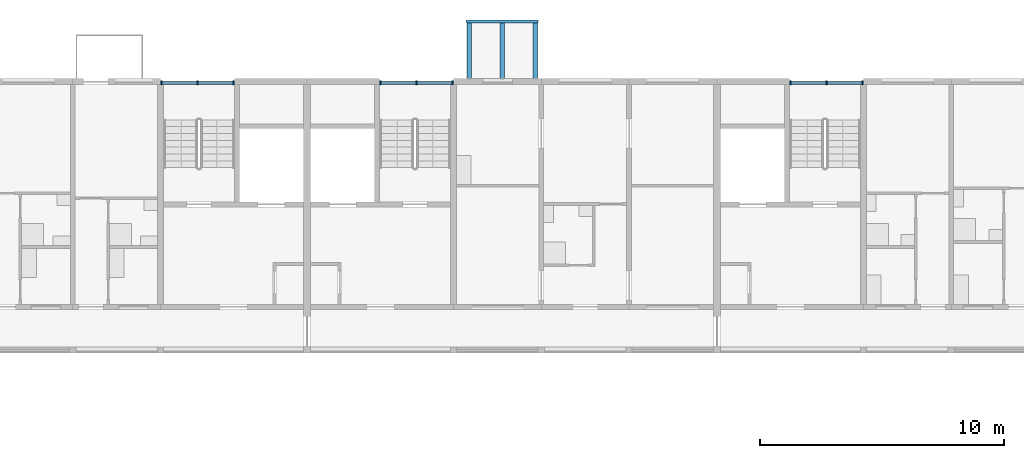
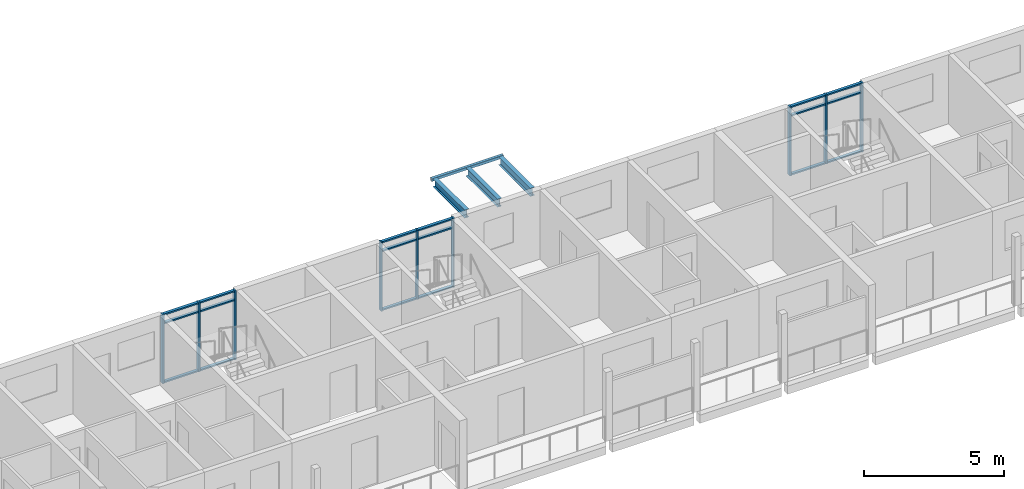
# One storey, part 12 of 93: 27 members, 4 beams, 3 elements without a shape of their own.
"""IFC4 building model written with IfcOpenShell, lengths in metres."""

from ifc_helpers import new_model, si_unit, direction, frame, origin, origin_2d, place, context, subcontext, project, spatial, rectangle, hollow_rectangle, i_section, extrude, material, material_profile, profile_set, type_object, element, aggregate, save


model = new_model("IFC4")

# Units and contexts
model_context = context("Model", 3, precision=1e-05, world=origin(), true_north=direction((0.0, 1.0)))
body_context = subcontext(model_context, "Body", "Model", "MODEL_VIEW")
ifc_project = project(units=[si_unit("LENGTHUNIT", "METRE"), si_unit("AREAUNIT", "SQUARE_METRE"), si_unit("VOLUMEUNIT", "CUBIC_METRE"), si_unit("PLANEANGLEUNIT", "RADIAN"), si_unit("MASSUNIT", "GRAM", prefix="KILO")], contexts=[model_context])

# Site, building, storey
site_placement = place(None, origin())
site = spatial("IfcSite", under=ifc_project, at=site_placement, CompositionType="ELEMENT")
building_placement = place(site_placement, origin())
building = spatial("IfcBuilding", under=site, at=building_placement, Name="Ridgestep Commons", CompositionType="ELEMENT")
storey_placement = place(building_placement, frame((0.0, 0.0, 18.0)))
storey = spatial("IfcBuildingStorey", under=building, at=storey_placement, Name="L06", CompositionType="ELEMENT", Elevation=18.0)

# Curtain wall, members
ifc_material_1 = material(Name="Aluminium 6063-T6 and glass", Category="aluminium")
curtain_wall_type = type_object("IfcCurtainWallType", Name="Curtain wall stair strip", PredefinedType="NOTDEFINED", material=ifc_material_1)
curtain_wall_1_placement = place(storey_placement, origin())
curtain_wall_1 = element("IfcCurtainWall", 1, at=curtain_wall_1_placement, inside=storey, type_object=curtain_wall_type, Name="Curtain wall B4C level 06", PredefinedType="NOTDEFINED")
ifc_material_2 = material(Name="Aluminium 6063-T6", Category="aluminium")
ifc_material_profile_1 = material_profile(ifc_material_2, rectangle(XDim=0.159912109375, YDim=0.06005859375, at=origin_2d()), Name="Mullion 60 x 160")
ifc_profile_set_1 = profile_set([ifc_material_profile_1], Name="Aluminium 6063-T6")
member_type_1 = type_object("IfcMemberType", Name="Mullion 60 x 160", PredefinedType="MULLION", material=ifc_profile_set_1)
member_1_placement = place(storey_placement, frame((73.22998046875, 77.080078125, 0.0), z_axis=(0.0, 0.0, 1.0), x_axis=(0.0, 1.0, 0.0)))
member_1 = element("IfcMember", 2, at=member_1_placement, type_object=member_type_1, Name="CW1 mullion 1", PredefinedType="MULLION", context=body_context, shape_type="SweptSolid", body=[
    extrude(rectangle(XDim=0.159912109375, YDim=0.06005859375, at=origin_2d()), origin(), (0.0, 0.0, 1.0), 3.0),
])
member_2_placement = place(storey_placement, frame((74.71240234375, 77.080078125, 0.0), z_axis=(0.0, 0.0, 1.0), x_axis=(0.0, 1.0, 0.0)))
member_2 = element("IfcMember", 3, at=member_2_placement, type_object=member_type_1, Name="CW1 mullion 2", PredefinedType="MULLION", context=body_context, shape_type="SweptSolid", body=[
    extrude(rectangle(XDim=0.159912109375, YDim=0.06005859375, at=origin_2d()), origin(), (0.0, 0.0, 1.0), 3.0),
])
member_3_placement = place(storey_placement, frame((76.195068359375, 77.080078125, 0.0), z_axis=(0.0, 0.0, 1.0), x_axis=(0.0, 1.0, 0.0)))
member_3 = element("IfcMember", 4, at=member_3_placement, type_object=member_type_1, Name="CW1 mullion 3", PredefinedType="MULLION", context=body_context, shape_type="SweptSolid", body=[
    extrude(rectangle(XDim=0.159912109375, YDim=0.06005859375, at=origin_2d()), origin(), (0.0, 0.0, 1.0), 3.0),
])

curtain_wall_2_placement = place(storey_placement, origin())
curtain_wall_2 = element("IfcCurtainWall", 5, at=curtain_wall_2_placement, inside=storey, type_object=curtain_wall_type, Name="Curtain wall B5C level 06", PredefinedType="NOTDEFINED")
member_4_placement = place(storey_placement, frame((82.205078125, 77.080078125, 0.0), z_axis=(0.0, 0.0, 1.0), x_axis=(0.0, 1.0, 0.0)))
member_4 = element("IfcMember", 6, at=member_4_placement, type_object=member_type_1, Name="CW1 mullion 1", PredefinedType="MULLION", context=body_context, shape_type="SweptSolid", body=[
    extrude(rectangle(XDim=0.159912109375, YDim=0.06005859375, at=origin_2d()), origin(), (0.0, 0.0, 1.0), 3.0),
])
member_5_placement = place(storey_placement, frame((83.6875, 77.080078125, 0.0), z_axis=(0.0, 0.0, 1.0), x_axis=(0.0, 1.0, 0.0)))
member_5 = element("IfcMember", 7, at=member_5_placement, type_object=member_type_1, Name="CW1 mullion 2", PredefinedType="MULLION", context=body_context, shape_type="SweptSolid", body=[
    extrude(rectangle(XDim=0.159912109375, YDim=0.06005859375, at=origin_2d()), origin(), (0.0, 0.0, 1.0), 3.0),
])
member_6_placement = place(storey_placement, frame((85.169921875, 77.080078125, 0.0), z_axis=(0.0, 0.0, 1.0), x_axis=(0.0, 1.0, 0.0)))
member_6 = element("IfcMember", 8, at=member_6_placement, type_object=member_type_1, Name="CW1 mullion 3", PredefinedType="MULLION", context=body_context, shape_type="SweptSolid", body=[
    extrude(rectangle(XDim=0.159912109375, YDim=0.06005859375, at=origin_2d()), origin(), (0.0, 0.0, 1.0), 3.0),
])

curtain_wall_3_placement = place(storey_placement, origin())
curtain_wall_3 = element("IfcCurtainWall", 9, at=curtain_wall_3_placement, inside=storey, type_object=curtain_wall_type, Name="Curtain wall B6C level 06", PredefinedType="NOTDEFINED")
member_7_placement = place(storey_placement, frame((99.0048828125, 77.080078125, 0.0), z_axis=(0.0, 0.0, 1.0), x_axis=(0.0, 1.0, 0.0)))
member_7 = element("IfcMember", 10, at=member_7_placement, type_object=member_type_1, Name="CW1 mullion 1", PredefinedType="MULLION", context=body_context, shape_type="SweptSolid", body=[
    extrude(rectangle(XDim=0.159912109375, YDim=0.06005859375, at=origin_2d()), origin(), (0.0, 0.0, 1.0), 3.0),
])
member_8_placement = place(storey_placement, frame((100.487548828125, 77.080078125, 0.0), z_axis=(0.0, 0.0, 1.0), x_axis=(0.0, 1.0, 0.0)))
member_8 = element("IfcMember", 11, at=member_8_placement, type_object=member_type_1, Name="CW1 mullion 2", PredefinedType="MULLION", context=body_context, shape_type="SweptSolid", body=[
    extrude(rectangle(XDim=0.159912109375, YDim=0.06005859375, at=origin_2d()), origin(), (0.0, 0.0, 1.0), 3.0),
])
member_9_placement = place(storey_placement, frame((101.969970703125, 77.080078125, 0.0), z_axis=(0.0, 0.0, 1.0), x_axis=(0.0, 1.0, 0.0)))
member_9 = element("IfcMember", 12, at=member_9_placement, type_object=member_type_1, Name="CW1 mullion 3", PredefinedType="MULLION", context=body_context, shape_type="SweptSolid", body=[
    extrude(rectangle(XDim=0.159912109375, YDim=0.06005859375, at=origin_2d()), origin(), (0.0, 0.0, 1.0), 3.0),
])

# Member
ifc_material_3 = material(Name="Aluminium 6063-T6", Category="aluminium")
ifc_material_profile_2 = material_profile(ifc_material_3, rectangle(XDim=0.1201171875, YDim=0.06005859375, at=origin_2d()), Name="Transom 60 x 120")
ifc_profile_set_2 = profile_set([ifc_material_profile_2], Name="Aluminium 6063-T6")
member_type_2 = type_object("IfcMemberType", Name="Transom 60 x 120", PredefinedType="USERDEFINED", material=ifc_profile_set_2)
member_10_placement = place(storey_placement, frame((73.260009765625, 77.080078125, 0.030029296875), z_axis=(1.0, 0.0, 0.0), x_axis=(0.0, 1.0, 0.0)))
member_10 = element("IfcMember", 13, at=member_10_placement, type_object=member_type_2, Name="CW1 transom 1.1", ObjectType="TRANSOM", PredefinedType="USERDEFINED", context=body_context, shape_type="SweptSolid", body=[
    extrude(rectangle(XDim=0.1201171875, YDim=0.06005859375, at=origin_2d()), origin(), (0.0, 0.0, 1.0), 1.422607421875),
])

member_11_placement = place(storey_placement, frame((73.260009765625, 77.080078125, 2.590087890625), z_axis=(1.0, 0.0, 0.0), x_axis=(0.0, 1.0, 0.0)))
member_11 = element("IfcMember", 14, at=member_11_placement, type_object=member_type_2, Name="CW1 transom 1.2", ObjectType="TRANSOM", PredefinedType="USERDEFINED", context=body_context, shape_type="SweptSolid", body=[
    extrude(rectangle(XDim=0.1201171875, YDim=0.06005859375, at=origin_2d()), origin(), (0.0, 0.0, 1.0), 1.422607421875),
])

member_12_placement = place(storey_placement, frame((73.260009765625, 77.080078125, 2.969970703125), z_axis=(1.0, 0.0, 0.0), x_axis=(0.0, 1.0, 0.0)))
member_12 = element("IfcMember", 15, at=member_12_placement, type_object=member_type_2, Name="CW1 transom 1.3", ObjectType="TRANSOM", PredefinedType="USERDEFINED", context=body_context, shape_type="SweptSolid", body=[
    extrude(rectangle(XDim=0.1201171875, YDim=0.06005859375, at=origin_2d()), origin(), (0.0, 0.0, 1.0), 1.422607421875),
])

member_13_placement = place(storey_placement, frame((74.742431640625, 77.080078125, 0.030029296875), z_axis=(1.0, 0.0, 0.0), x_axis=(0.0, 1.0, 0.0)))
member_13 = element("IfcMember", 16, at=member_13_placement, type_object=member_type_2, Name="CW1 transom 2.1", ObjectType="TRANSOM", PredefinedType="USERDEFINED", context=body_context, shape_type="SweptSolid", body=[
    extrude(rectangle(XDim=0.1201171875, YDim=0.06005859375, at=origin_2d()), origin(), (0.0, 0.0, 1.0), 1.422607421875),
])

member_14_placement = place(storey_placement, frame((74.742431640625, 77.080078125, 2.590087890625), z_axis=(1.0, 0.0, 0.0), x_axis=(0.0, 1.0, 0.0)))
member_14 = element("IfcMember", 17, at=member_14_placement, type_object=member_type_2, Name="CW1 transom 2.2", ObjectType="TRANSOM", PredefinedType="USERDEFINED", context=body_context, shape_type="SweptSolid", body=[
    extrude(rectangle(XDim=0.1201171875, YDim=0.06005859375, at=origin_2d()), origin(), (0.0, 0.0, 1.0), 1.422607421875),
])

member_15_placement = place(storey_placement, frame((74.742431640625, 77.080078125, 2.969970703125), z_axis=(1.0, 0.0, 0.0), x_axis=(0.0, 1.0, 0.0)))
member_15 = element("IfcMember", 18, at=member_15_placement, type_object=member_type_2, Name="CW1 transom 2.3", ObjectType="TRANSOM", PredefinedType="USERDEFINED", context=body_context, shape_type="SweptSolid", body=[
    extrude(rectangle(XDim=0.1201171875, YDim=0.06005859375, at=origin_2d()), origin(), (0.0, 0.0, 1.0), 1.422607421875),
])

aggregate(curtain_wall_1, [member_1, member_2, member_3, member_10, member_11, member_12, member_13, member_14, member_15])

member_16_placement = place(storey_placement, frame((82.235107421875, 77.080078125, 0.030029296875), z_axis=(1.0, 0.0, 0.0), x_axis=(0.0, 1.0, 0.0)))
member_16 = element("IfcMember", 19, at=member_16_placement, type_object=member_type_2, Name="CW1 transom 1.1", ObjectType="TRANSOM", PredefinedType="USERDEFINED", context=body_context, shape_type="SweptSolid", body=[
    extrude(rectangle(XDim=0.1201171875, YDim=0.06005859375, at=origin_2d()), origin(), (0.0, 0.0, 1.0), 1.42236328125),
])

member_17_placement = place(storey_placement, frame((82.235107421875, 77.080078125, 2.590087890625), z_axis=(1.0, 0.0, 0.0), x_axis=(0.0, 1.0, 0.0)))
member_17 = element("IfcMember", 20, at=member_17_placement, type_object=member_type_2, Name="CW1 transom 1.2", ObjectType="TRANSOM", PredefinedType="USERDEFINED", context=body_context, shape_type="SweptSolid", body=[
    extrude(rectangle(XDim=0.1201171875, YDim=0.06005859375, at=origin_2d()), origin(), (0.0, 0.0, 1.0), 1.42236328125),
])

member_18_placement = place(storey_placement, frame((82.235107421875, 77.080078125, 2.969970703125), z_axis=(1.0, 0.0, 0.0), x_axis=(0.0, 1.0, 0.0)))
member_18 = element("IfcMember", 21, at=member_18_placement, type_object=member_type_2, Name="CW1 transom 1.3", ObjectType="TRANSOM", PredefinedType="USERDEFINED", context=body_context, shape_type="SweptSolid", body=[
    extrude(rectangle(XDim=0.1201171875, YDim=0.06005859375, at=origin_2d()), origin(), (0.0, 0.0, 1.0), 1.42236328125),
])

member_19_placement = place(storey_placement, frame((83.717529296875, 77.080078125, 0.030029296875), z_axis=(1.0, 0.0, 0.0), x_axis=(0.0, 1.0, 0.0)))
member_19 = element("IfcMember", 22, at=member_19_placement, type_object=member_type_2, Name="CW1 transom 2.1", ObjectType="TRANSOM", PredefinedType="USERDEFINED", context=body_context, shape_type="SweptSolid", body=[
    extrude(rectangle(XDim=0.1201171875, YDim=0.06005859375, at=origin_2d()), origin(), (0.0, 0.0, 1.0), 1.42236328125),
])

member_20_placement = place(storey_placement, frame((83.717529296875, 77.080078125, 2.590087890625), z_axis=(1.0, 0.0, 0.0), x_axis=(0.0, 1.0, 0.0)))
member_20 = element("IfcMember", 23, at=member_20_placement, type_object=member_type_2, Name="CW1 transom 2.2", ObjectType="TRANSOM", PredefinedType="USERDEFINED", context=body_context, shape_type="SweptSolid", body=[
    extrude(rectangle(XDim=0.1201171875, YDim=0.06005859375, at=origin_2d()), origin(), (0.0, 0.0, 1.0), 1.42236328125),
])

member_21_placement = place(storey_placement, frame((83.717529296875, 77.080078125, 2.969970703125), z_axis=(1.0, 0.0, 0.0), x_axis=(0.0, 1.0, 0.0)))
member_21 = element("IfcMember", 24, at=member_21_placement, type_object=member_type_2, Name="CW1 transom 2.3", ObjectType="TRANSOM", PredefinedType="USERDEFINED", context=body_context, shape_type="SweptSolid", body=[
    extrude(rectangle(XDim=0.1201171875, YDim=0.06005859375, at=origin_2d()), origin(), (0.0, 0.0, 1.0), 1.42236328125),
])

aggregate(curtain_wall_2, [member_4, member_5, member_6, member_16, member_17, member_18, member_19, member_20, member_21])

member_22_placement = place(storey_placement, frame((99.034912109375, 77.080078125, 0.030029296875), z_axis=(1.0, 0.0, 0.0), x_axis=(0.0, 1.0, 0.0)))
member_22 = element("IfcMember", 25, at=member_22_placement, type_object=member_type_2, Name="CW1 transom 1.1", ObjectType="TRANSOM", PredefinedType="USERDEFINED", context=body_context, shape_type="SweptSolid", body=[
    extrude(rectangle(XDim=0.1201171875, YDim=0.06005859375, at=origin_2d()), origin(), (0.0, 0.0, 1.0), 1.422607421875),
])

member_23_placement = place(storey_placement, frame((99.034912109375, 77.080078125, 2.590087890625), z_axis=(1.0, 0.0, 0.0), x_axis=(0.0, 1.0, 0.0)))
member_23 = element("IfcMember", 26, at=member_23_placement, type_object=member_type_2, Name="CW1 transom 1.2", ObjectType="TRANSOM", PredefinedType="USERDEFINED", context=body_context, shape_type="SweptSolid", body=[
    extrude(rectangle(XDim=0.1201171875, YDim=0.06005859375, at=origin_2d()), origin(), (0.0, 0.0, 1.0), 1.422607421875),
])

member_24_placement = place(storey_placement, frame((99.034912109375, 77.080078125, 2.969970703125), z_axis=(1.0, 0.0, 0.0), x_axis=(0.0, 1.0, 0.0)))
member_24 = element("IfcMember", 27, at=member_24_placement, type_object=member_type_2, Name="CW1 transom 1.3", ObjectType="TRANSOM", PredefinedType="USERDEFINED", context=body_context, shape_type="SweptSolid", body=[
    extrude(rectangle(XDim=0.1201171875, YDim=0.06005859375, at=origin_2d()), origin(), (0.0, 0.0, 1.0), 1.422607421875),
])

member_25_placement = place(storey_placement, frame((100.517578125, 77.080078125, 0.030029296875), z_axis=(1.0, 0.0, 0.0), x_axis=(0.0, 1.0, 0.0)))
member_25 = element("IfcMember", 28, at=member_25_placement, type_object=member_type_2, Name="CW1 transom 2.1", ObjectType="TRANSOM", PredefinedType="USERDEFINED", context=body_context, shape_type="SweptSolid", body=[
    extrude(rectangle(XDim=0.1201171875, YDim=0.06005859375, at=origin_2d()), origin(), (0.0, 0.0, 1.0), 1.42236328125),
])

member_26_placement = place(storey_placement, frame((100.517578125, 77.080078125, 2.590087890625), z_axis=(1.0, 0.0, 0.0), x_axis=(0.0, 1.0, 0.0)))
member_26 = element("IfcMember", 29, at=member_26_placement, type_object=member_type_2, Name="CW1 transom 2.2", ObjectType="TRANSOM", PredefinedType="USERDEFINED", context=body_context, shape_type="SweptSolid", body=[
    extrude(rectangle(XDim=0.1201171875, YDim=0.06005859375, at=origin_2d()), origin(), (0.0, 0.0, 1.0), 1.42236328125),
])

member_27_placement = place(storey_placement, frame((100.517578125, 77.080078125, 2.969970703125), z_axis=(1.0, 0.0, 0.0), x_axis=(0.0, 1.0, 0.0)))
member_27 = element("IfcMember", 30, at=member_27_placement, type_object=member_type_2, Name="CW1 transom 2.3", ObjectType="TRANSOM", PredefinedType="USERDEFINED", context=body_context, shape_type="SweptSolid", body=[
    extrude(rectangle(XDim=0.1201171875, YDim=0.06005859375, at=origin_2d()), origin(), (0.0, 0.0, 1.0), 1.42236328125),
])

aggregate(curtain_wall_3, [member_7, member_8, member_9, member_22, member_23, member_24, member_25, member_26, member_27])

# Beams
ifc_material_4 = material(Name="Weathering steel S355J2W", Category="steel")
ifc_material_profile_3 = material_profile(ifc_material_4, i_section(OverallWidth=0.171142578125, OverallDepth=0.351318359375, WebThickness=0.007080078125, FlangeThickness=0.009765625, FilletRadius=0.01025390625, at=origin_2d()), Name="UB 356x171x45")
ifc_profile_set_3 = profile_set([ifc_material_profile_3], Name="Weathering steel S355J2W")
beam_type_1 = type_object("IfcBeamType", Name="Tray arm UB 356x171x45", PredefinedType="BEAM", material=ifc_profile_set_3)
for number, where, z_axis, x_axis, name in (
    (31, (85.85009765625, 77.264892578125, 2.814208984375), (0.0, 1.0, 0.0), (-1.0, 0.0, 0.0), "Tray arm B5T3-07.1"),
    (32, (87.199951171875, 77.264892578125, 2.814208984375), (0.0, 1.0, 0.0), (-1.0, 0.0, 0.0), "Tray arm B5T3-07.2"),
    (33, (88.550048828125, 77.264892578125, 2.814208984375), (0.0, 1.0, 0.0), (-1.0, 0.0, 0.0), "Tray arm B5T3-07.3"),
):
    element("IfcBeam", number, at=place(storey_placement, frame(where, z_axis=z_axis, x_axis=x_axis)), inside=storey, type_object=beam_type_1, Name=name, PredefinedType="BEAM", context=body_context, shape_type="SweptSolid", body=[
        extrude(i_section(OverallWidth=0.171142578125, OverallDepth=0.351318359375, WebThickness=0.007080078125, FlangeThickness=0.009765625, FilletRadius=0.01025390625, at=origin_2d()), origin(), (0.0, 0.0, 1.0), 2.26513671875),
    ])
ifc_material_5 = material(Name="Weathering steel S355J2W", Category="steel")
ifc_material_profile_4 = material_profile(ifc_material_5, hollow_rectangle(XDim=0.1201171875, YDim=0.1201171875, WallThickness=0.00634765625, InnerFilletRadius=0.00634765625, OuterFilletRadius=0.009521484375, at=origin_2d()), Name="SHS 120x120x6.3")
ifc_profile_set_4 = profile_set([ifc_material_profile_4], Name="Weathering steel S355J2W")
beam_type_2 = type_object("IfcBeamType", Name="Tray edge member SHS 120x120x6.3", PredefinedType="BEAM", material=ifc_profile_set_4)
beam_placement = place(storey_placement, frame((85.72998046875, 79.590087890625, 2.929931640625), z_axis=(1.0, 0.0, 0.0), x_axis=(0.0, 0.0, 1.0)))
element("IfcBeam", 34, at=beam_placement, inside=storey, type_object=beam_type_2, Name="Tray edge member B5T3-07", PredefinedType="BEAM", context=body_context, shape_type="SweptSolid", body=[
    extrude(hollow_rectangle(XDim=0.1201171875, YDim=0.1201171875, WallThickness=0.00634765625, InnerFilletRadius=0.00634765625, OuterFilletRadius=0.009521484375, at=origin_2d()), origin(), (0.0, 0.0, 1.0), 2.93994140625),
])

save(model, "model.ifc")
